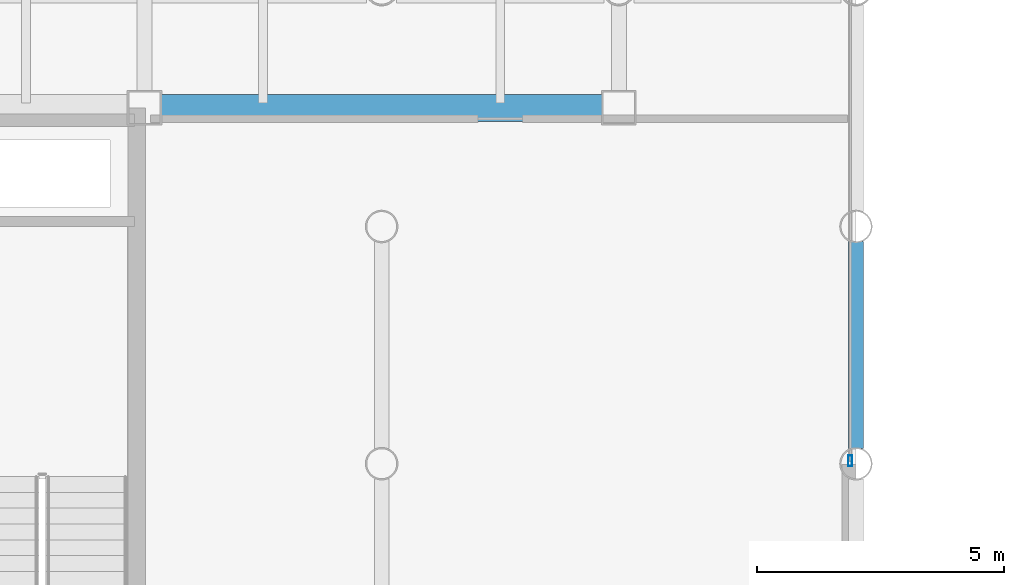
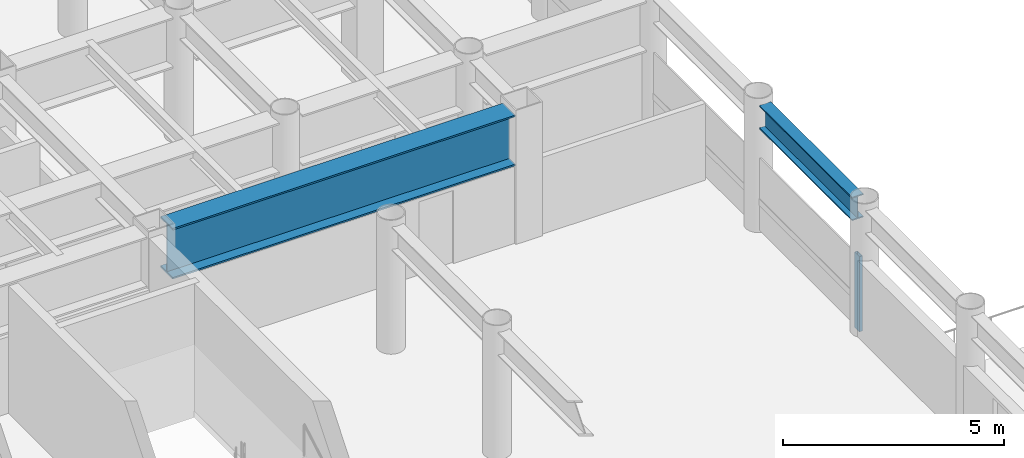
# One storey, part 8 of 23: 2 beams, 1 member, 1 element without a shape of its own.
"""IFC4 building model written with IfcOpenShell, lengths in metres."""

from ifc_helpers import new_model, si_unit, direction, frame, origin, origin_2d, place, context, subcontext, project, spatial, hollow_rectangle, i_section, extrude, material, layer, layer_set, material_profile, profile_set, type_object, element, aggregate, save


model = new_model("IFC4")

# Units and contexts
model_context = context("Model", 3, precision=1e-05, world=origin(), true_north=direction((0.0, 1.0)))
body_context = subcontext(model_context, "Body", "Model", "MODEL_VIEW")
ifc_project = project(units=[si_unit("LENGTHUNIT", "METRE"), si_unit("AREAUNIT", "SQUARE_METRE"), si_unit("VOLUMEUNIT", "CUBIC_METRE"), si_unit("PLANEANGLEUNIT", "RADIAN"), si_unit("MASSUNIT", "GRAM", prefix="KILO")], contexts=[model_context])

# Site, building, storey
site_placement = place(None, origin())
site = spatial("IfcSite", under=ifc_project, at=site_placement, CompositionType="ELEMENT")
building_placement = place(site_placement, origin())
building = spatial("IfcBuilding", under=site, at=building_placement, Name="Kallvorn Hotel Tower", CompositionType="ELEMENT")
storey_placement = place(building_placement, frame((0.0, 0.0, 124.800048828125)))
storey = spatial("IfcBuildingStorey", under=building, at=storey_placement, Name="L30", CompositionType="ELEMENT", Elevation=124.800048828125)

# Beams
ifc_material_1 = material(Name="Structural steel S355JR", Category="steel")
ifc_material_profile_1 = material_profile(ifc_material_1, i_section(OverallWidth=0.300048828125, OverallDepth=0.64990234375, WebThickness=0.01611328125, FlangeThickness=0.031005859375, at=origin_2d()), Name="HE 650 B")
ifc_profile_set_1 = profile_set([ifc_material_profile_1], Name="Structural steel S355JR")
beam_type_1 = type_object("IfcBeamType", Name="BM_HE650B", PredefinedType="BEAM", material=ifc_profile_set_1)
beam_1_placement = place(storey_placement, frame((28.800048828125, 0.304931640625, 3.195068359375), z_axis=(0.0, 1.0, 0.0), x_axis=(-1.0, 0.0, 0.0)))
element("IfcBeam", 1, at=beam_1_placement, inside=storey, type_object=beam_type_1, Name="L31 Primary Y-Girder 147", PredefinedType="BEAM", context=body_context, shape_type="SweptSolid", body=[
    extrude(i_section(OverallWidth=0.300048828125, OverallDepth=0.64990234375, WebThickness=0.01611328125, FlangeThickness=0.031005859375, at=origin_2d()), origin(), (0.0, 0.0, 1.0), 4.190185546875),
])
ifc_material_2 = material(Name="Structural steel S355JR", Category="steel")
ifc_material_profile_2 = material_profile(ifc_material_2, i_section(OverallWidth=0.550048828125, OverallDepth=1.39990234375, WebThickness=0.02490234375, FlangeThickness=0.044921875, at=origin_2d()), Name="PG 1400x550x25x45")
ifc_profile_set_2 = profile_set([ifc_material_profile_2], Name="Structural steel S355JR")
beam_type_2 = type_object("IfcBeamType", Name="BM_PG_1400", PredefinedType="BEAM", material=ifc_profile_set_2)
beam_2_placement = place(storey_placement, frame((14.72509765625, 7.199951171875, 2.820068359375), z_axis=(1.0, 0.0, 0.0), x_axis=(0.0, 1.0, 0.0)))
element("IfcBeam", 2, at=beam_2_placement, inside=storey, type_object=beam_type_2, Name="L31 Primary X-Girder 40", PredefinedType="BEAM", context=body_context, shape_type="SweptSolid", body=[
    extrude(i_section(OverallWidth=0.550048828125, OverallDepth=1.39990234375, WebThickness=0.02490234375, FlangeThickness=0.044921875, at=origin_2d()), origin(), (0.0, 0.0, 1.0), 8.949951171875),
])

# Curtain wall, member
ifc_material_3 = material(Name="Thermally broken black-anodised aluminium AA 6063-T6", Category="aluminium")
ifc_layer = layer(ifc_material_3, 0.2099609375)
ifc_layer_set = layer_set([ifc_layer], Name="CW_SYS_4_HOTEL_MID")
curtain_wall_type = type_object("IfcCurtainWallType", Name="CW_SYS_4_HOTEL_MID", PredefinedType="USERDEFINED", material=ifc_layer_set)
curtain_wall_placement = place(storey_placement, origin())
curtain_wall = element("IfcCurtainWall", 3, at=curtain_wall_placement, inside=storey, type_object=curtain_wall_type, Name="L30 Dark-Glass Curtain Wall CW-L30-EN", ObjectType="UNITISED CURTAIN WALL", PredefinedType="USERDEFINED")
ifc_material_4 = material(Name="Thermally broken black-anodised aluminium AA 6063-T6", Category="aluminium")
ifc_material_profile_3 = material_profile(ifc_material_4, hollow_rectangle(XDim=0.080078125, YDim=0.219970703125, WallThickness=0.0048828125, at=origin_2d()), Name="MUL 220x80")
ifc_profile_set_3 = profile_set([ifc_material_profile_3], Name="Thermally broken black-anodised aluminium AA 6063-T6")
member_type = type_object("IfcMemberType", Name="CW_MULLION_220x80", PredefinedType="MULLION", material=ifc_profile_set_3)
member_placement = place(storey_placement, frame((28.679931640625, 0.06005859375, 0.02001953125), z_axis=(0.0, 0.0, 1.0), x_axis=(1.0, 0.0, 0.0)))
member = element("IfcMember", 4, at=member_placement, type_object=member_type, Name="CW-L30-EN Mullion 00", PredefinedType="MULLION", context=body_context, shape_type="SweptSolid", body=[
    extrude(hollow_rectangle(XDim=0.080078125, YDim=0.219970703125, WallThickness=0.0048828125, at=origin_2d()), origin(), (0.0, 0.0, 1.0), 2.079833984375),
])
aggregate(curtain_wall, [member])

save(model, "model.ifc")
